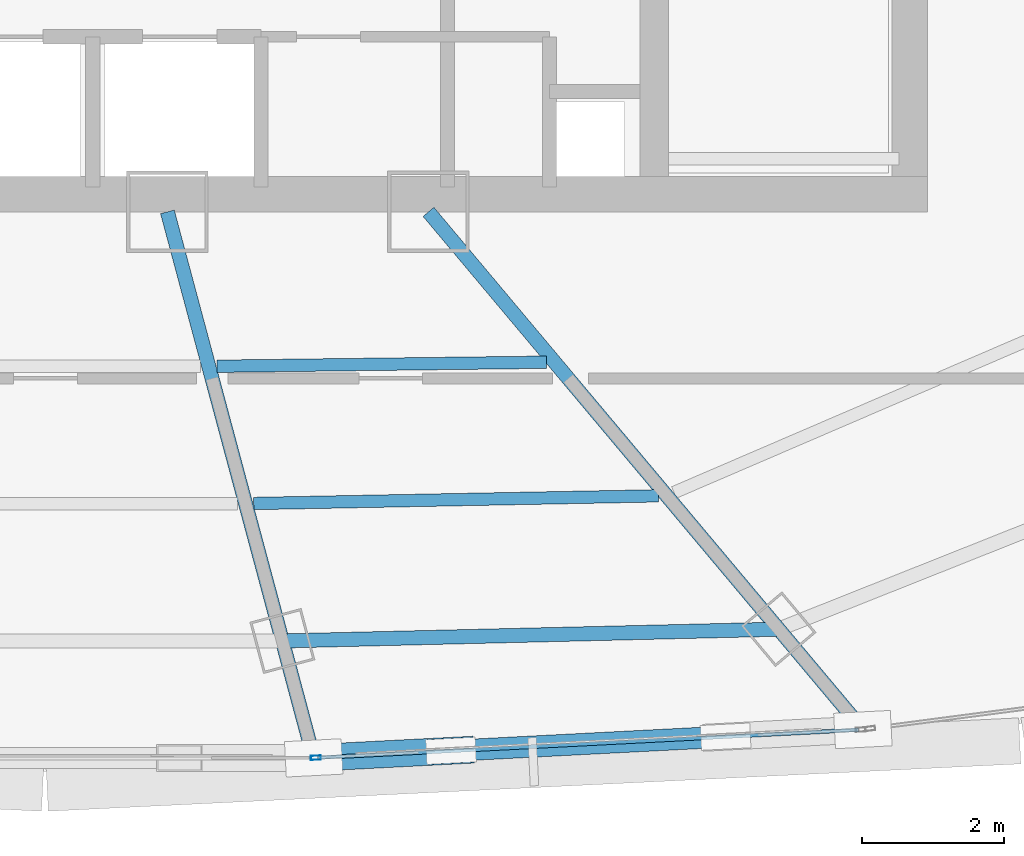
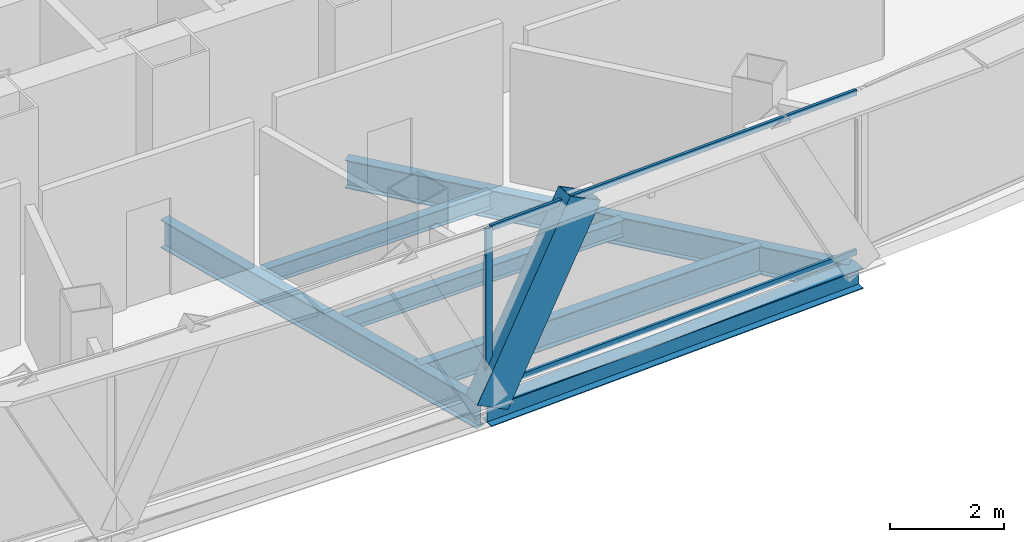
# One storey, part 10 of 35: 6 beams, 4 members, 1 element without a shape of its own.
"""IFC4 building model written with IfcOpenShell, lengths in metres."""

from ifc_helpers import new_model, si_unit, direction, frame, origin, origin_2d, place, context, subcontext, project, spatial, hollow_rectangle, i_section, extrude, source, transform, mapped, material, layer, layer_set, material_profile, profile_set, type_object, element, aggregate, save


model = new_model("IFC4")

# Units and contexts
model_context = context("Model", 3, precision=1e-05, world=origin(), true_north=direction((0.0, 1.0)))
body_context = subcontext(model_context, "Body", "Model", "MODEL_VIEW")
ifc_project = project(units=[si_unit("LENGTHUNIT", "METRE"), si_unit("AREAUNIT", "SQUARE_METRE"), si_unit("VOLUMEUNIT", "CUBIC_METRE"), si_unit("PLANEANGLEUNIT", "RADIAN"), si_unit("MASSUNIT", "GRAM", prefix="KILO"), si_unit("THERMODYNAMICTEMPERATUREUNIT", "KELVIN"), si_unit("POWERUNIT", "WATT")], contexts=[model_context])

# Site, building, storey
site_placement = place(None, origin())
site = spatial("IfcSite", under=ifc_project, at=site_placement, CompositionType="ELEMENT")
building_placement = place(site_placement, origin())
building = spatial("IfcBuilding", under=site, at=building_placement, Name="Yunzhuo Pagoda Commons", CompositionType="ELEMENT")
storey_placement = place(building_placement, frame((0.0, 0.0, 303.669921875)))
storey = spatial("IfcBuildingStorey", under=building, at=storey_placement, Name="L76", CompositionType="ELEMENT", Elevation=303.669921875)

# Beams
ifc_material_1 = material(Name="Structural steel Q355B", Category="steel")
ifc_material_profile_1 = material_profile(ifc_material_1, i_section(OverallWidth=0.175048828125, OverallDepth=0.35009765625, WebThickness=0.007080078125, FlangeThickness=0.010986328125, at=origin_2d()), Name="Structural steel Q355B")
ifc_profile_set_1 = profile_set([ifc_material_profile_1], Name="Structural steel Q355B")
beam_type_1 = type_object("IfcBeamType", Name="B-JS2 Joist HN 350x175x7x11", PredefinedType="JOIST", material=ifc_profile_set_1)
shared_shape_1 = source(origin(), body_context, "Body", "SweptSolid", [
    extrude(i_section(OverallWidth=0.175048828125, OverallDepth=0.35009765625, WebThickness=0.007080078125, FlangeThickness=0.010986328125, at=origin_2d()), origin(), (0.0, 0.0, 1.0), 4.64892578125),
])
beam_1_placement = place(storey_placement, frame((50.42724609375, 25.07177734375, -0.434814453125), z_axis=(0.999924495467, 0.012288342626, 0.0), x_axis=(-0.012288342626, 0.999924495467, 0.0)))
element("IfcBeam", 1, at=beam_1_placement, inside=storey, type_object=beam_type_1, Name="L76 composite ring joist 1.3", PredefinedType="JOIST", context=body_context, shape_type="MappedRepresentation", body=[
    mapped(shared_shape_1, transform((0.0, 0.0, 0.0), scale=1.0)),
])
shared_shape_2 = source(origin(), body_context, "Body", "SweptSolid", [
    extrude(i_section(OverallWidth=0.175048828125, OverallDepth=0.35009765625, WebThickness=0.007080078125, FlangeThickness=0.010986328125, at=origin_2d()), origin(), (0.0, 0.0, 1.0), 5.711669921875),
])
beam_2_placement = place(storey_placement, frame((50.9462890625, 23.135009765625, -0.434814453125), z_axis=(0.999819084998, 0.019020969297, 0.0), x_axis=(-0.019020969297, 0.999819084998, 0.0)))
element("IfcBeam", 2, at=beam_2_placement, inside=storey, type_object=beam_type_1, Name="L76 composite ring joist 2.3", PredefinedType="JOIST", context=body_context, shape_type="MappedRepresentation", body=[
    mapped(shared_shape_2, transform((0.0, 0.0, 0.0), scale=1.0)),
])
ifc_material_profile_2 = material_profile(ifc_material_1, i_section(OverallWidth=0.199951171875, OverallDepth=0.60009765625, WebThickness=0.010986328125, FlangeThickness=0.01708984375, at=origin_2d()), Name="Structural steel Q355B")
ifc_profile_set_2 = profile_set([ifc_material_profile_2], Name="Structural steel Q355B")
beam_type_2 = type_object("IfcBeamType", Name="B-RG3 Beam HN 600x200x11x17", PredefinedType="BEAM", material=ifc_profile_set_2)
shared_shape_3 = source(origin(), body_context, "Body", "SweptSolid", [
    extrude(i_section(OverallWidth=0.199951171875, OverallDepth=0.60009765625, WebThickness=0.010986328125, FlangeThickness=0.01708984375, at=origin_2d()), origin(), (0.0, 0.0, 1.0), 7.0048828125),
])
beam_3_placement = place(storey_placement, frame((51.3505859375, 21.195556640625, -0.559814453125), z_axis=(0.99971911704, 0.023699937233, 0.0), x_axis=(-0.023699937233, 0.99971911704, 0.0)))
element("IfcBeam", 3, at=beam_3_placement, inside=storey, type_object=beam_type_2, Name="L76 column-ring beam 3", PredefinedType="BEAM", context=body_context, shape_type="MappedRepresentation", body=[
    mapped(shared_shape_3, transform((0.0, 0.0, 0.0), scale=1.0)),
])
shared_shape_4 = source(origin(), body_context, "Body", "SweptSolid", [
    extrude(i_section(OverallWidth=0.199951171875, OverallDepth=0.60009765625, WebThickness=0.010986328125, FlangeThickness=0.01708984375, at=origin_2d()), origin(), (0.0, 0.0, 1.0), 7.820556640625),
])
beam_4_placement = place(storey_placement, frame((51.75244140625, 19.69580078125, -0.559814453125), z_axis=(-0.258793299875, 0.965932724334, 0.0), x_axis=(-0.965932724334, -0.258793299875, 0.0)))
element("IfcBeam", 4, at=beam_4_placement, inside=storey, type_object=beam_type_2, Name="L76 radial floor girder F1C3", PredefinedType="BEAM", context=body_context, shape_type="MappedRepresentation", body=[
    mapped(shared_shape_4, transform((0.0, 0.0, 0.0), scale=1.0)),
])
shared_shape_5 = source(origin(), body_context, "Body", "SweptSolid", [
    extrude(i_section(OverallWidth=0.199951171875, OverallDepth=0.60009765625, WebThickness=0.010986328125, FlangeThickness=0.01708984375, at=origin_2d()), origin(), (0.0, 0.0, 1.0), 9.380615234375),
])
beam_5_placement = place(storey_placement, frame((59.442138671875, 20.064208984375, -0.559814453125), z_axis=(-0.642814803085, 0.766021624325, 0.0), x_axis=(-0.766021624325, -0.642814803085, 0.0)))
element("IfcBeam", 5, at=beam_5_placement, inside=storey, type_object=beam_type_2, Name="L76 radial floor girder F1C4", PredefinedType="BEAM", context=body_context, shape_type="MappedRepresentation", body=[
    mapped(shared_shape_5, transform((0.0, 0.0, 0.0), scale=1.0)),
])
ifc_material_profile_3 = material_profile(ifc_material_1, i_section(OverallWidth=0.300048828125, OverallDepth=0.43994140625, WebThickness=0.010986328125, FlangeThickness=0.01806640625, at=origin_2d()), Name="Structural steel Q355B")
ifc_profile_set_3 = profile_set([ifc_material_profile_3], Name="Structural steel Q355B")
beam_type_3 = type_object("IfcBeamType", Name="B-SP2 Beam HM 440x300x11x18", PredefinedType="BEAM", material=ifc_profile_set_3)
shared_shape_6 = source(origin(), body_context, "Body", "SweptSolid", [
    extrude(i_section(OverallWidth=0.300048828125, OverallDepth=0.43994140625, WebThickness=0.010986328125, FlangeThickness=0.01806640625, at=origin_2d()), origin(), (0.0, 0.0, 1.0), 7.759033203125),
])
beam_6_placement = place(storey_placement, frame((51.792724609375, 19.5458984375, -0.47998046875), z_axis=(0.998672558279, 0.051508458928, 0.0), x_axis=(-0.051508458928, 0.998672558279, 0.0)))
element("IfcBeam", 6, at=beam_6_placement, inside=storey, type_object=beam_type_3, Name="L76 facade edge spandrel beam F1.3", PredefinedType="BEAM", context=body_context, shape_type="MappedRepresentation", body=[
    mapped(shared_shape_6, transform((0.0, 0.0, 0.0), scale=1.0)),
])

# Member
ifc_material_profile_4 = material_profile(ifc_material_1, hollow_rectangle(XDim=0.3798828125, YDim=0.719970703125, WallThickness=0.02001953125, at=origin_2d()), Name="Structural steel Q355B")
ifc_profile_set_4 = profile_set([ifc_material_profile_4], Name="Structural steel Q355B")
member_type_1 = type_object("IfcMemberType", Name="M-DL3 Brace BOX 720x380x20", PredefinedType="BRACE", material=ifc_profile_set_4)
shared_shape_7 = source(origin(), body_context, "Body", "SweptSolid", [
    extrude(hollow_rectangle(XDim=0.3798828125, YDim=0.719970703125, WallThickness=0.02001953125, at=origin_2d()), origin(), (0.0, 0.0, 1.0), 4.2041015625),
])
member_1_placement = place(storey_placement, frame((51.792724609375, 19.5458984375, -0.260009765625), z_axis=(0.460739809413, 0.02375127074, 0.887217394532), x_axis=(-0.051481930402, 0.998673926185, 0.0)))
element("IfcMember", 7, at=member_1_placement, inside=storey, type_object=member_type_1, Name="L76 facade diamond brace F1.3L", PredefinedType="BRACE", context=body_context, shape_type="MappedRepresentation", body=[
    mapped(shared_shape_7, transform((0.0, 0.0, 0.0), scale=1.0)),
])

# Curtain wall, members
ifc_material_2 = material(Name="Anodized aluminium 6063-T6", Category="aluminium")
ifc_layer = layer(ifc_material_2, 0.139892578125)
ifc_layer_set = layer_set([ifc_layer], Name="Anodized aluminium 6063-T6")
curtain_wall_type = type_object("IfcCurtainWallType", Name="CW-HI High-Zone Ribbon Curtain Wall", PredefinedType="NOTDEFINED", material=ifc_layer_set)
curtain_wall_placement = place(storey_placement, origin())
curtain_wall = element("IfcCurtainWall", 8, at=curtain_wall_placement, inside=storey, type_object=curtain_wall_type, Name="L76 curtain wall CW-L76-F1B4", PredefinedType="NOTDEFINED")
ifc_material_profile_5 = material_profile(ifc_material_2, hollow_rectangle(XDim=0.06005859375, YDim=0.139892578125, WallThickness=0.00341796875, at=origin_2d()), Name="Anodized aluminium 6063-T6")
ifc_profile_set_5 = profile_set([ifc_material_profile_5], Name="Anodized aluminium 6063-T6")
member_type_2 = type_object("IfcMemberType", Name="CW-HI-M Mullion RHS 140x60x3.5", PredefinedType="MULLION", material=ifc_profile_set_5)
shared_shape_8 = source(origin(), body_context, "Body", "SweptSolid", [
    extrude(hollow_rectangle(XDim=0.06005859375, YDim=0.139892578125, WallThickness=0.00341796875, at=origin_2d()), origin(), (0.0, 0.0, 1.0), 3.469970703125),
])
member_2_placement = place(storey_placement, frame((51.822509765625, 19.547607421875, 0.0), z_axis=(0.0, 0.0, 1.0), x_axis=(-0.051461616076, 0.998674973187, 0.0)))
member_2 = element("IfcMember", 9, at=member_2_placement, type_object=member_type_2, Name="CW mullion 1", PredefinedType="MULLION", context=body_context, shape_type="MappedRepresentation", body=[
    mapped(shared_shape_8, transform((0.0, 0.0, 0.0), scale=1.0)),
])
ifc_material_profile_6 = material_profile(ifc_material_2, hollow_rectangle(XDim=0.054931640625, YDim=0.1201171875, WallThickness=0.00341796875, at=origin_2d()), Name="Anodized aluminium 6063-T6")
ifc_profile_set_6 = profile_set([ifc_material_profile_6], Name="Anodized aluminium 6063-T6")
member_type_3 = type_object("IfcMemberType", Name="CW-HI-T Transom RHS 120x55x3.5", PredefinedType="USERDEFINED", material=ifc_profile_set_6)
shared_shape_9 = source(origin(), body_context, "Body", "SweptSolid", [
    extrude(hollow_rectangle(XDim=0.054931640625, YDim=0.1201171875, WallThickness=0.00341796875, at=origin_2d()), origin(), (0.0, 0.0, 1.0), 7.639404296875),
])
member_3_placement = place(storey_placement, frame((51.8525390625, 19.549072265625, 0.027587890625), z_axis=(0.998675480981, 0.05145176078, 0.0), x_axis=(-0.05145176078, 0.998675480981, 0.0)))
member_3 = element("IfcMember", 10, at=member_3_placement, type_object=member_type_3, Name="CW transom 1.1", ObjectType="TRANSOM", PredefinedType="USERDEFINED", context=body_context, shape_type="MappedRepresentation", body=[
    mapped(shared_shape_9, transform((0.0, 0.0, 0.0), scale=1.0)),
])
member_4_placement = place(storey_placement, frame((51.8525390625, 19.549072265625, 3.442626953125), z_axis=(0.998675480981, 0.05145176078, 0.0), x_axis=(-0.05145176078, 0.998675480981, 0.0)))
member_4 = element("IfcMember", 11, at=member_4_placement, type_object=member_type_3, Name="CW transom 1.2", ObjectType="TRANSOM", PredefinedType="USERDEFINED", context=body_context, shape_type="MappedRepresentation", body=[
    mapped(shared_shape_9, transform((0.0, 0.0, 0.0), scale=1.0)),
])
aggregate(curtain_wall, [member_2, member_3, member_4])

save(model, "model.ifc")
